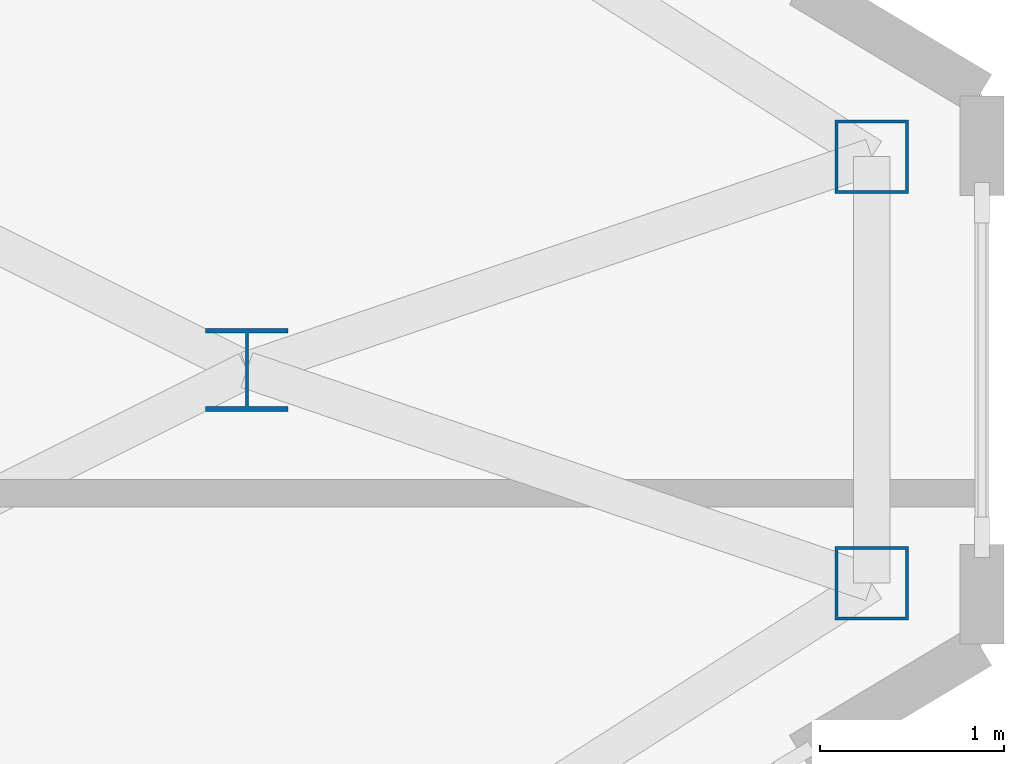
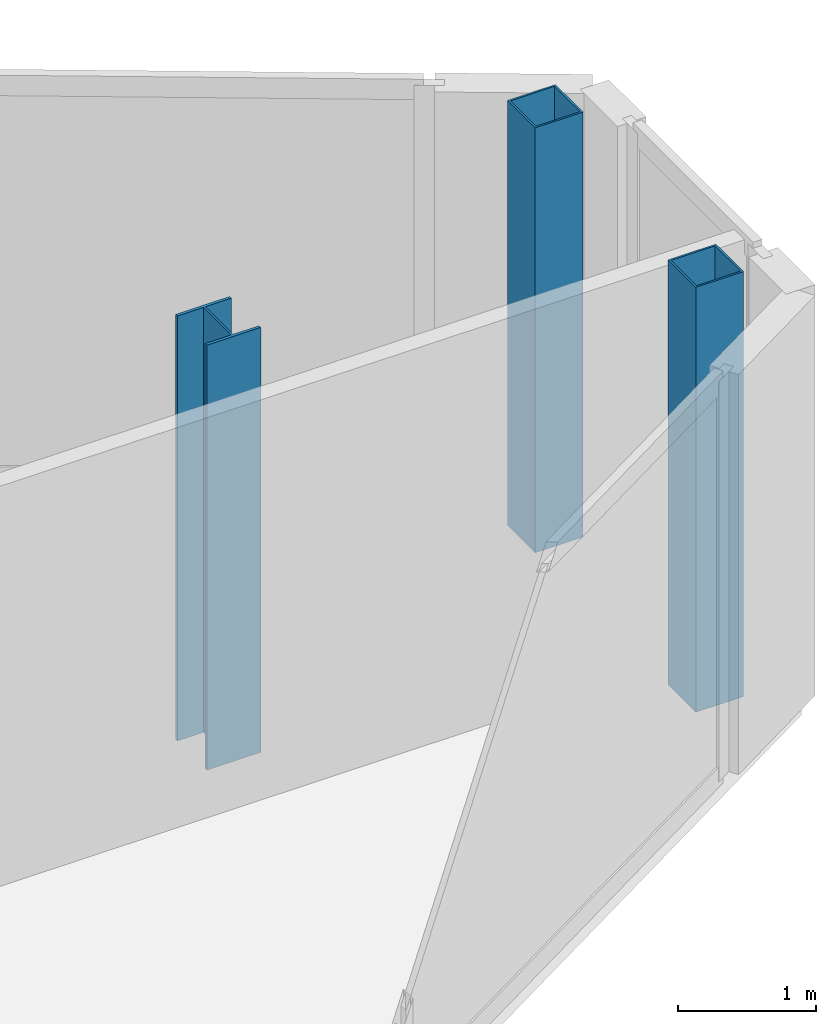
# One storey, part 7 of 28: 3 columns.
"""IFC4 building model written with IfcOpenShell, lengths in metres."""

from ifc_helpers import new_model, si_unit, direction, frame, origin, origin_2d, place, context, subcontext, project, spatial, hollow_rectangle, i_section, extrude, source, transform, mapped, material, material_profile, profile_set, type_object, type_shapes, element, save


model = new_model("IFC4")

# Units and contexts
model_context = context("Model", 3, precision=1e-05, world=origin(), true_north=direction((0.0, 1.0)))
body_context = subcontext(model_context, "Body", "Model", "MODEL_VIEW")
ifc_project = project(units=[si_unit("LENGTHUNIT", "METRE"), si_unit("AREAUNIT", "SQUARE_METRE"), si_unit("VOLUMEUNIT", "CUBIC_METRE"), si_unit("PLANEANGLEUNIT", "RADIAN"), si_unit("MASSUNIT", "GRAM", prefix="KILO")], contexts=[model_context])

# Site, building, storey
site_placement = place(None, origin())
site = spatial("IfcSite", under=ifc_project, at=site_placement, CompositionType="ELEMENT")
building_placement = place(site_placement, origin())
building = spatial("IfcBuilding", under=site, at=building_placement, Name="Seokmaru Belvedere", CompositionType="ELEMENT")
storey_placement = place(building_placement, frame((0.0, 0.0, 261.89990234375)))
storey = spatial("IfcBuildingStorey", under=building, at=storey_placement, Name="L69", CompositionType="ELEMENT", Elevation=261.89990234375)

# Columns
ifc_material = material(Name="Steel SM355 (355 MPa)", Category="steel")
ifc_material_profile_1 = material_profile(ifc_material, i_section(OverallWidth=0.449951171875, OverallDepth=0.449951171875, WebThickness=0.01611328125, FlangeThickness=0.02490234375, at=origin_2d()), Name="H-450x450x16x25")
ifc_profile_set_1 = profile_set([ifc_material_profile_1], Name="Steel SM355 (355 MPa)")
column_type_1 = type_object("IfcColumnType", Name="Sky-Gate Column H-450", PredefinedType="COLUMN", material=ifc_profile_set_1)
shared_shape_1 = source(origin(), body_context, "Body", "SweptSolid", [
    extrude(i_section(OverallWidth=0.449951171875, OverallDepth=0.449951171875, WebThickness=0.01611328125, FlangeThickness=0.02490234375, at=origin_2d()), origin(), (0.0, 0.0, 1.0), 3.75),
])
type_shapes(column_type_1, [shared_shape_1])
column_placement = place(storey_placement, frame((63.5, 0.0, 0.0), z_axis=(0.0, 0.0, 1.0), x_axis=(1.0, 0.0, 0.0)))
element("IfcColumn", 1, at=column_placement, inside=storey, type_object=column_type_1, Name="L69 Column EG3P_1", PredefinedType="COLUMN", context=body_context, shape_type="MappedRepresentation", body=[
    mapped(shared_shape_1, transform((0.0, 0.0, 0.0), scale=1.0)),
])
ifc_material_profile_2 = material_profile(ifc_material, hollow_rectangle(XDim=0.39990234375, YDim=0.39990234375, WallThickness=0.01611328125, at=origin_2d()), Name="HSS-400x400x16")
ifc_profile_set_2 = profile_set([ifc_material_profile_2], Name="Steel SM355 (355 MPa)")
column_type_2 = type_object("IfcColumnType", Name="Perimeter Facet Column HSS-400", PredefinedType="COLUMN", material=ifc_profile_set_2)
shared_shape_2 = source(origin(), body_context, "Body", "SweptSolid", [
    extrude(hollow_rectangle(XDim=0.39990234375, YDim=0.39990234375, WallThickness=0.01611328125, at=origin_2d()), origin(), (0.0, 0.0, 1.0), 3.75),
])
type_shapes(column_type_2, [shared_shape_2])
for number, where, z_axis, x_axis, name in (
    (2, (66.89990234375, -1.160400390625, 0.0), (0.0, 0.0, 1.0), (1.0, 0.0, 0.0), "L69 Column EF2"),
    (3, (66.89990234375, 1.160400390625, 0.0), (0.0, 0.0, 1.0), (1.0, 0.0, 0.0), "L69 Column EF3"),
):
    element("IfcColumn", number, at=place(storey_placement, frame(where, z_axis=z_axis, x_axis=x_axis)), inside=storey, type_object=column_type_2, Name=name, PredefinedType="COLUMN", context=body_context, shape_type="MappedRepresentation", body=[
        mapped(shared_shape_2, transform((0.0, 0.0, 0.0), scale=1.0)),
    ])

save(model, "model.ifc")
